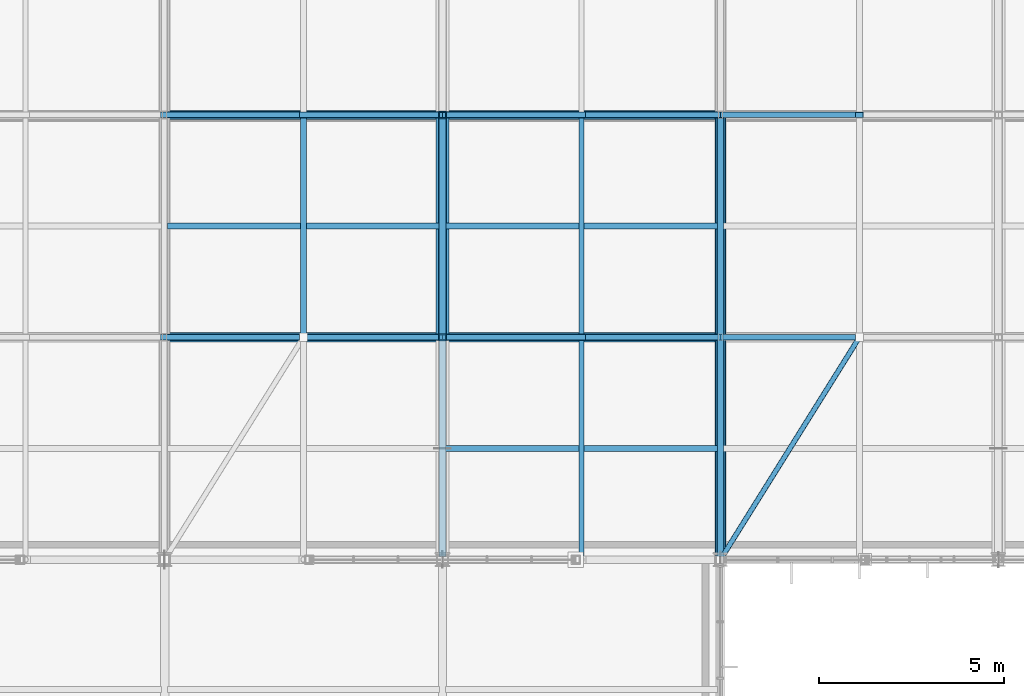
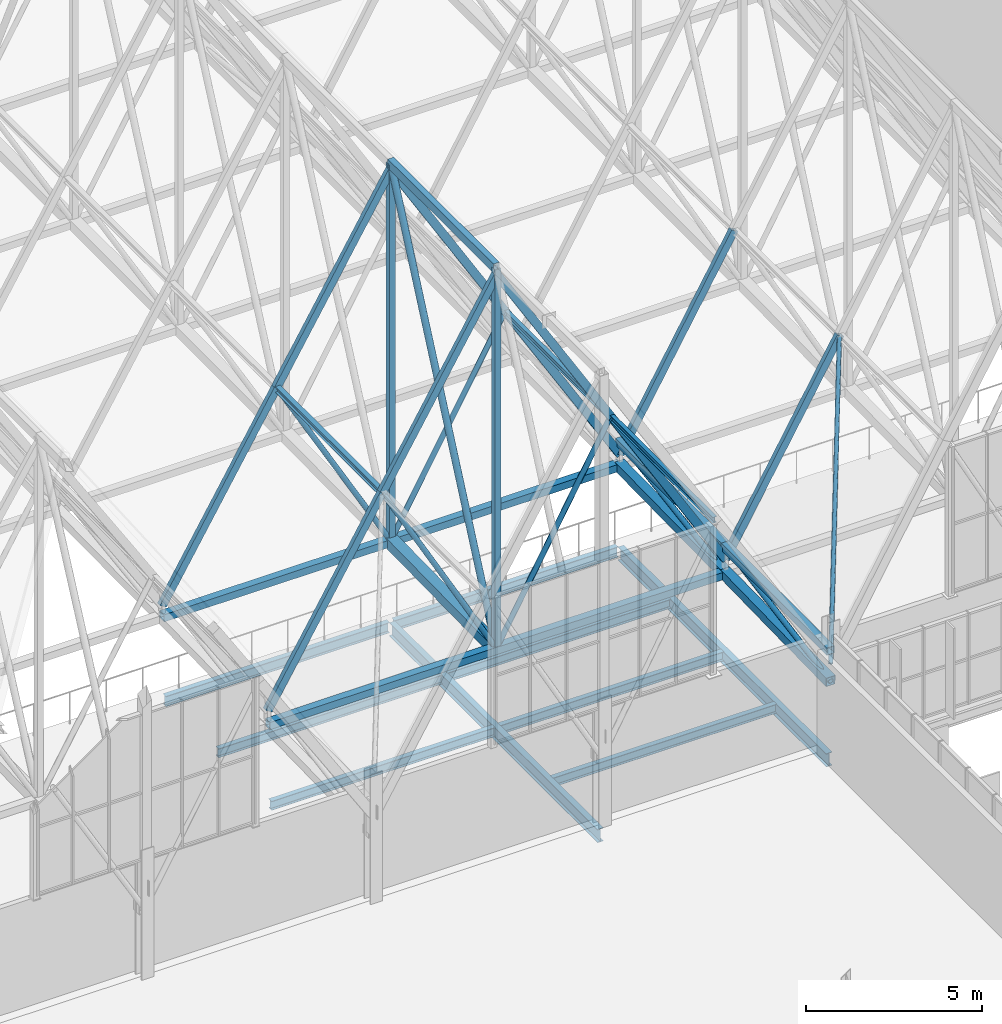
# One storey, part 96 of 324: 28 members, 12 beams.
"""IFC4 building model written with IfcOpenShell, lengths in metres."""

from ifc_helpers import new_model, si_unit, direction, frame, origin, origin_2d, place, context, subcontext, project, spatial, hollow_rectangle, hollow_circle, i_section, extrude, material, material_profile, profile_set, type_object, element, save


model = new_model("IFC4")

# Units and contexts
model_context = context("Model", 3, precision=1e-05, world=origin(), true_north=direction((0.0, 1.0)))
body_context = subcontext(model_context, "Body", "Model", "MODEL_VIEW")
ifc_project = project(units=[si_unit("LENGTHUNIT", "METRE"), si_unit("AREAUNIT", "SQUARE_METRE"), si_unit("VOLUMEUNIT", "CUBIC_METRE"), si_unit("PLANEANGLEUNIT", "RADIAN"), si_unit("MASSUNIT", "GRAM", prefix="KILO")], contexts=[model_context])

# Site, building, storey
site_placement = place(None, origin())
site = spatial("IfcSite", under=ifc_project, at=site_placement, CompositionType="ELEMENT")
building_placement = place(site_placement, origin())
building = spatial("IfcBuilding", under=site, at=building_placement, Name="Solvenia Promenade Tram Depot", CompositionType="ELEMENT")
storey_placement = place(building_placement, frame((0.0, 0.0, 4.5)))
storey = spatial("IfcBuildingStorey", under=building, at=storey_placement, Name="L01", CompositionType="ELEMENT", Elevation=4.5)

# Beams
ifc_material_1 = material(Name="Structural steel ASTM A992 Gr. 50", Category="steel")
ifc_material_profile_1 = material_profile(ifc_material_1, i_section(OverallWidth=0.19091796875, OverallDepth=0.4599609375, WebThickness=0.010009765625, FlangeThickness=0.01611328125, FilletRadius=0.012939453125, at=origin_2d()), Name="W460x82", Category="steel")
ifc_profile_set_1 = profile_set([ifc_material_profile_1], Name="Structural steel ASTM A992 Gr. 50")
beam_type_1 = type_object("IfcBeamType", Name="Beam-W460x82", PredefinedType="BEAM", material=ifc_profile_set_1)
for number, where, z_axis, x_axis, name in (
    (1, (37.5, 66.0849609375, -0.449951171875), (0.0, 1.0, 0.0), (-1.0, 0.0, 0.0), "Transverse Girder BM-L01-0046"),
    (2, (45.0, 66.0849609375, -0.449951171875), (0.0, 1.0, 0.0), (-1.0, 0.0, 0.0), "Transverse Girder BM-L01-0047"),
):
    element("IfcBeam", number, at=place(storey_placement, frame(where, z_axis=z_axis, x_axis=x_axis)), inside=storey, type_object=beam_type_1, Name=name, PredefinedType="BEAM", context=body_context, shape_type="SweptSolid", body=[
        extrude(i_section(OverallWidth=0.19091796875, OverallDepth=0.4599609375, WebThickness=0.010009765625, FlangeThickness=0.01611328125, FilletRadius=0.012939453125, at=origin_2d()), origin(), (0.0, 0.0, 1.0), 11.830078125),
    ])

# Members
ifc_material_2 = material(Name="Structural steel ASTM A500 Gr. C", Category="steel")
ifc_material_profile_2 = material_profile(ifc_material_2, hollow_circle(Radius=0.109619140625, WallThickness=0.008056640625, at=origin_2d()), Name="CHS219.1x8", Category="steel")
ifc_profile_set_2 = profile_set([ifc_material_profile_2], Name="Structural steel ASTM A500 Gr. C")
member_type_1 = type_object("IfcMemberType", Name="Brace-CHS219x8", PredefinedType="BRACE", material=ifc_profile_set_2)
member_1_placement = place(storey_placement, frame((37.5, 72.0, 2.446044921875), z_axis=(0.0, 0.413778842299, 0.910377432533), x_axis=(-1.0, 0.0, 0.0)))
element("IfcMember", 3, at=member_1_placement, inside=storey, type_object=member_type_1, Name="Arched Truss T06 Web Diagonal S02", PredefinedType="BRACE", context=body_context, shape_type="SweptSolid", body=[
    extrude(hollow_circle(Radius=0.109619140625, WallThickness=0.008056640625, at=origin_2d()), origin(), (0.0, 0.0, 1.0), 14.50048828125),
])
ifc_material_profile_3 = material_profile(ifc_material_2, hollow_rectangle(XDim=0.14990234375, YDim=0.25, WallThickness=0.010009765625, at=origin_2d()), Name="HSS250x150x10", Category="steel")
ifc_profile_set_3 = profile_set([ifc_material_profile_3], Name="Structural steel ASTM A500 Gr. C")
member_type_2 = type_object("IfcMemberType", Name="Chord-HSS250x150x10", PredefinedType="CHORD", material=ifc_profile_set_3)
for number, where, z_axis, x_axis, name in (
    (4, (30.0, 72.0, 2.93017578125), (0.514584433357, 0.0, 0.857439712718), (0.0, 1.0, 0.0), "Zigzag Gable 03 West Lower Rafter"),
    (5, (33.75, 72.0, 9.1787109375), (0.514584433357, 0.0, 0.857439712718), (0.0, 1.0, 0.0), "Zigzag Gable 03 West Upper Rafter"),
    (6, (37.5, 72.0, 15.42724609375), (0.514584433357, 0.0, -0.857439712718), (0.0, 1.0, 0.0), "Zigzag Gable 03 East Upper Rafter"),
    (7, (41.25, 72.0, 9.1787109375), (0.514584433357, 0.0, -0.857439712718), (0.0, 1.0, 0.0), "Zigzag Gable 03 East Lower Rafter"),
    (8, (30.0, 78.0, 2.93017578125), (0.514584433357, 0.0, 0.857439712718), (0.0, 1.0, 0.0), "Zigzag Gable 03 West Lower Rafter"),
    (9, (33.75, 78.0, 9.1787109375), (0.514584433357, 0.0, 0.857439712718), (0.0, 1.0, 0.0), "Zigzag Gable 03 West Upper Rafter"),
    (10, (37.5, 78.0, 15.42724609375), (0.514584433357, 0.0, -0.857439712718), (0.0, 1.0, 0.0), "Zigzag Gable 03 East Upper Rafter"),
    (11, (41.25, 78.0, 9.1787109375), (0.514584433357, 0.0, -0.857439712718), (0.0, 1.0, 0.0), "Zigzag Gable 03 East Lower Rafter"),
):
    element("IfcMember", number, at=place(storey_placement, frame(where, z_axis=z_axis, x_axis=x_axis)), inside=storey, type_object=member_type_2, Name=name, PredefinedType="CHORD", context=body_context, shape_type="SweptSolid", body=[
        extrude(hollow_rectangle(XDim=0.14990234375, YDim=0.25, WallThickness=0.010009765625, at=origin_2d()), origin(), (0.0, 0.0, 1.0), 7.287353515625),
    ])
for number, where, z_axis, x_axis, name in (
    (12, (45.0, 72.0, 2.921142578125), (0.501516268578, 0.0, 0.865148214095), (0.0, 1.0, 0.0), "Zigzag Gable 04 West Lower Rafter"),
    (13, (45.0, 78.0, 2.921142578125), (0.501516268578, 0.0, 0.865148214095), (0.0, 1.0, 0.0), "Zigzag Gable 04 West Lower Rafter"),
):
    element("IfcMember", number, at=place(storey_placement, frame(where, z_axis=z_axis, x_axis=x_axis)), inside=storey, type_object=member_type_2, Name=name, PredefinedType="CHORD", context=body_context, shape_type="SweptSolid", body=[
        extrude(hollow_rectangle(XDim=0.14990234375, YDim=0.25, WallThickness=0.010009765625, at=origin_2d()), origin(), (0.0, 0.0, 1.0), 7.477294921875),
    ])
ifc_material_profile_4 = material_profile(ifc_material_2, hollow_rectangle(XDim=0.25, YDim=0.25, WallThickness=0.010009765625, at=origin_2d()), Name="HSS250x250x10", Category="steel")
ifc_profile_set_4 = profile_set([ifc_material_profile_4], Name="Structural steel ASTM A500 Gr. C")
member_type_3 = type_object("IfcMemberType", Name="Chord-HSS250x250x10", PredefinedType="CHORD", material=ifc_profile_set_4)
for number, where, z_axis, x_axis, name in (
    (14, (45.0, 66.0, 3.3798828125), (0.0, 1.0, 0.0), (-1.0, 0.0, 0.0), "Arched Truss T07 Upper Chord S01"),
    (15, (45.0, 72.0, 3.3798828125), (0.0, 1.0, 0.0), (-1.0, 0.0, 0.0), "Arched Truss T07 Upper Chord S02"),
):
    element("IfcMember", number, at=place(storey_placement, frame(where, z_axis=z_axis, x_axis=x_axis)), inside=storey, type_object=member_type_3, Name=name, PredefinedType="CHORD", context=body_context, shape_type="SweptSolid", body=[
        extrude(hollow_rectangle(XDim=0.25, YDim=0.25, WallThickness=0.010009765625, at=origin_2d()), origin(), (0.0, 0.0, 1.0), 6.0),
    ])
for number, where, z_axis, x_axis, name in (
    (16, (30.0, 72.0, 2.446044921875), (1.0, 0.0, 0.0), (0.0, 1.0, 0.0), "Bottom-Chord Catenary Lateral Tie 019"),
    (17, (30.0, 78.0, 2.5439453125), (1.0, 0.0, 0.0), (0.0, 1.0, 0.0), "Bottom-Chord Catenary Lateral Tie 020"),
):
    element("IfcMember", number, at=place(storey_placement, frame(where, z_axis=z_axis, x_axis=x_axis)), inside=storey, type_object=member_type_3, Name=name, PredefinedType="CHORD", context=body_context, shape_type="SweptSolid", body=[
        extrude(hollow_rectangle(XDim=0.25, YDim=0.25, WallThickness=0.010009765625, at=origin_2d()), origin(), (0.0, 0.0, 1.0), 15.0),
    ])
ifc_material_profile_5 = material_profile(ifc_material_2, hollow_rectangle(XDim=0.199951171875, YDim=0.300048828125, WallThickness=0.012451171875, at=origin_2d()), Name="HSS300x200x12.5", Category="steel")
ifc_profile_set_5 = profile_set([ifc_material_profile_5], Name="Structural steel ASTM A500 Gr. C")
member_type_4 = type_object("IfcMemberType", Name="Chord-HSS300x200x12", PredefinedType="CHORD", material=ifc_profile_set_5)
member_2_placement = place(storey_placement, frame((37.5, 72.0, 15.64697265625), z_axis=(0.0, 1.0, 0.0), x_axis=(-1.0, 0.0, 0.0)))
element("IfcMember", 18, at=member_2_placement, inside=storey, type_object=member_type_4, Name="Arched Truss T06 Upper Chord S02", PredefinedType="CHORD", context=body_context, shape_type="SweptSolid", body=[
    extrude(hollow_rectangle(XDim=0.199951171875, YDim=0.300048828125, WallThickness=0.012451171875, at=origin_2d()), origin(), (0.0, 0.0, 1.0), 6.0),
])
ifc_material_profile_6 = material_profile(ifc_material_2, hollow_rectangle(XDim=0.300048828125, YDim=0.300048828125, WallThickness=0.012451171875, at=origin_2d()), Name="HSS300x300x12.5", Category="steel")
ifc_profile_set_6 = profile_set([ifc_material_profile_6], Name="Structural steel ASTM A500 Gr. C")
member_type_5 = type_object("IfcMemberType", Name="Chord-HSS300x300x12", PredefinedType="CHORD", material=ifc_profile_set_6)
member_3_placement = place(storey_placement, frame((45.0, 66.0, 2.320068359375), z_axis=(0.0, 0.999779654873, 0.020991467363), x_axis=(-1.0, 0.0, 0.0)))
element("IfcMember", 19, at=member_3_placement, inside=storey, type_object=member_type_5, Name="Arched Truss T07 Bottom Chord S01", PredefinedType="CHORD", context=body_context, shape_type="SweptSolid", body=[
    extrude(hollow_rectangle(XDim=0.300048828125, YDim=0.300048828125, WallThickness=0.012451171875, at=origin_2d()), origin(), (0.0, 0.0, 1.0), 6.001220703125),
])
member_4_placement = place(storey_placement, frame((45.0, 72.0, 2.446044921875), z_axis=(0.0, 0.999866908707, 0.016314560156), x_axis=(-1.0, 0.0, 0.0)))
element("IfcMember", 20, at=member_4_placement, inside=storey, type_object=member_type_5, Name="Arched Truss T07 Bottom Chord S02", PredefinedType="CHORD", context=body_context, shape_type="SweptSolid", body=[
    extrude(hollow_rectangle(XDim=0.300048828125, YDim=0.300048828125, WallThickness=0.012451171875, at=origin_2d()), origin(), (0.0, 0.0, 1.0), 6.000732421875),
])
ifc_material_profile_7 = material_profile(ifc_material_2, hollow_rectangle(XDim=0.35009765625, YDim=0.35009765625, WallThickness=0.01611328125, at=origin_2d()), Name="HSS350x350x16", Category="steel")
ifc_profile_set_7 = profile_set([ifc_material_profile_7], Name="Structural steel ASTM A500 Gr. C")
member_type_6 = type_object("IfcMemberType", Name="Chord-HSS350x350x16", PredefinedType="CHORD", material=ifc_profile_set_7)
member_5_placement = place(storey_placement, frame((37.5, 72.0, 2.446044921875), z_axis=(0.0, 0.999866908707, 0.016314560156), x_axis=(-1.0, 0.0, 0.0)))
element("IfcMember", 21, at=member_5_placement, inside=storey, type_object=member_type_6, Name="Arched Truss T06 Bottom Chord S02", PredefinedType="CHORD", context=body_context, shape_type="SweptSolid", body=[
    extrude(hollow_rectangle(XDim=0.35009765625, YDim=0.35009765625, WallThickness=0.01611328125, at=origin_2d()), origin(), (0.0, 0.0, 1.0), 6.000732421875),
])

# Beams
ifc_material_profile_8 = material_profile(ifc_material_1, i_section(OverallWidth=0.166015625, OverallDepth=0.31298828125, WebThickness=0.006591796875, FlangeThickness=0.01123046875, FilletRadius=0.010009765625, at=origin_2d()), Name="W310x45", Category="steel")
ifc_profile_set_8 = profile_set([ifc_material_profile_8], Name="Structural steel ASTM A992 Gr. 50")
beam_type_2 = type_object("IfcBeamType", Name="Joist-W310x45", PredefinedType="JOIST", material=ifc_profile_set_8)
for number, where, z_axis, x_axis, name in (
    (22, (30.0849609375, 72.0, -0.37646484375), (1.0, 0.0, 0.0), (0.0, 1.0, 0.0), "Secondary Floor Joist BM-L01-0074"),
    (23, (30.0849609375, 75.0, -0.37646484375), (1.0, 0.0, 0.0), (0.0, 1.0, 0.0), "Secondary Floor Joist BM-L01-0075"),
    (24, (37.5849609375, 69.0, -0.37646484375), (1.0, 0.0, 0.0), (0.0, 1.0, 0.0), "Secondary Floor Joist BM-L01-0076"),
    (25, (37.5849609375, 72.0, -0.37646484375), (1.0, 0.0, 0.0), (0.0, 1.0, 0.0), "Secondary Floor Joist BM-L01-0077"),
    (26, (37.5849609375, 75.0, -0.37646484375), (1.0, 0.0, 0.0), (0.0, 1.0, 0.0), "Secondary Floor Joist BM-L01-0078"),
):
    element("IfcBeam", number, at=place(storey_placement, frame(where, z_axis=z_axis, x_axis=x_axis)), inside=storey, type_object=beam_type_2, Name=name, PredefinedType="JOIST", context=body_context, shape_type="SweptSolid", body=[
        extrude(i_section(OverallWidth=0.166015625, OverallDepth=0.31298828125, WebThickness=0.006591796875, FlangeThickness=0.01123046875, FilletRadius=0.010009765625, at=origin_2d()), origin(), (0.0, 0.0, 1.0), 7.330078125),
    ])

# Members
ifc_material_profile_9 = material_profile(ifc_material_2, hollow_rectangle(XDim=0.199951171875, YDim=0.199951171875, WallThickness=0.010009765625, at=origin_2d()), Name="HSS200x200x10", Category="steel")
ifc_profile_set_9 = profile_set([ifc_material_profile_9], Name="Structural steel ASTM A500 Gr. C")
member_type_7 = type_object("IfcMemberType", Name="Post-HSS200x200x10", PredefinedType="POST", material=ifc_profile_set_9)
member_6_placement = place(storey_placement, frame((37.5, 72.0, 2.446044921875), z_axis=(0.0, 0.0, 1.0), x_axis=(1.0, 0.0, 0.0)))
element("IfcMember", 27, at=member_6_placement, inside=storey, type_object=member_type_7, Name="Arched Truss T06 Web Post S01", PredefinedType="POST", context=body_context, shape_type="SweptSolid", body=[
    extrude(hollow_rectangle(XDim=0.199951171875, YDim=0.199951171875, WallThickness=0.010009765625, at=origin_2d()), origin(), (0.0, 0.0, 1.0), 13.200927734375),
])
member_7_placement = place(storey_placement, frame((37.5, 78.0, 2.5439453125), z_axis=(0.0, 0.0, 1.0), x_axis=(1.0, 0.0, 0.0)))
element("IfcMember", 28, at=member_7_placement, inside=storey, type_object=member_type_7, Name="Arched Truss T06 Web Post S02", PredefinedType="POST", context=body_context, shape_type="SweptSolid", body=[
    extrude(hollow_rectangle(XDim=0.199951171875, YDim=0.199951171875, WallThickness=0.010009765625, at=origin_2d()), origin(), (0.0, 0.0, 1.0), 13.10302734375),
])

# Beams
ifc_material_profile_10 = material_profile(ifc_material_1, i_section(OverallWidth=0.133056640625, OverallDepth=0.20703125, WebThickness=0.005859375, FlangeThickness=0.00830078125, FilletRadius=0.009033203125, at=origin_2d()), Name="W200x27", Category="steel")
ifc_profile_set_10 = profile_set([ifc_material_profile_10], Name="Structural steel ASTM A992 Gr. 50")
beam_type_3 = type_object("IfcBeamType", Name="Purlin-W200x27", PredefinedType="USERDEFINED", material=ifc_profile_set_10)
for number, where, z_axis, x_axis, name in (
    (29, (41.25, 66.0849609375, 9.169677734375), (0.0, 1.0, 0.0), (-1.0, 0.0, 0.0), "Gable Roof Purlin E-0042"),
    (30, (41.25, 72.0849609375, 9.169677734375), (0.0, 1.0, 0.0), (-1.0, 0.0, 0.0), "Gable Roof Purlin E-0044"),
):
    element("IfcBeam", number, at=place(storey_placement, frame(where, z_axis=z_axis, x_axis=x_axis)), inside=storey, type_object=beam_type_3, Name=name, ObjectType="PURLIN", PredefinedType="USERDEFINED", context=body_context, shape_type="SweptSolid", body=[
        extrude(i_section(OverallWidth=0.133056640625, OverallDepth=0.20703125, WebThickness=0.005859375, FlangeThickness=0.00830078125, FilletRadius=0.009033203125, at=origin_2d()), origin(), (0.0, 0.0, 1.0), 5.830078125),
    ])
ifc_material_profile_11 = material_profile(ifc_material_1, i_section(OverallWidth=0.1650390625, OverallDepth=0.200927734375, WebThickness=0.006103515625, FlangeThickness=0.01025390625, FilletRadius=0.010009765625, at=origin_2d()), Name="W200x36", Category="steel")
ifc_profile_set_11 = profile_set([ifc_material_profile_11], Name="Structural steel ASTM A992 Gr. 50")
beam_type_4 = type_object("IfcBeamType", Name="Purlin-W200x36", PredefinedType="USERDEFINED", material=ifc_profile_set_11)
beam_placement = place(storey_placement, frame((33.75, 72.0849609375, 9.169677734375), z_axis=(0.0, 1.0, 0.0), x_axis=(-1.0, 0.0, 0.0)))
element("IfcBeam", 31, at=beam_placement, inside=storey, type_object=beam_type_4, Name="Gable Roof Purlin W-0043", ObjectType="PURLIN", PredefinedType="USERDEFINED", context=body_context, shape_type="SweptSolid", body=[
    extrude(i_section(OverallWidth=0.1650390625, OverallDepth=0.200927734375, WebThickness=0.006103515625, FlangeThickness=0.01025390625, FilletRadius=0.010009765625, at=origin_2d()), origin(), (0.0, 0.0, 1.0), 5.830078125),
])

# Member
ifc_material_profile_12 = material_profile(ifc_material_2, hollow_circle(Radius=0.06982421875, WallThickness=0.00634765625, at=origin_2d()), Name="CHS139.7x6.3", Category="steel")
ifc_profile_set_12 = profile_set([ifc_material_profile_12], Name="Structural steel ASTM A500 Gr. C")
member_type_8 = type_object("IfcMemberType", Name="RoofBrace-CHS140x6", PredefinedType="BRACE", material=ifc_profile_set_12)
member_8_placement = place(storey_placement, frame((45.0, 66.0, 2.921142578125), z_axis=(0.391155079769, 0.625848127631, 0.674767978428), x_axis=(-0.847998304005, 0.529998940003, 0.0)))
element("IfcMember", 32, at=member_8_placement, inside=storey, type_object=member_type_8, Name="Roof Plan Wind Brace 007", PredefinedType="BRACE", context=body_context, shape_type="SweptSolid", body=[
    extrude(hollow_circle(Radius=0.06982421875, WallThickness=0.00634765625, at=origin_2d()), origin(), (0.0, 0.0, 1.0), 9.5869140625),
])

# Beams
ifc_material_profile_13 = material_profile(ifc_material_1, i_section(OverallWidth=0.172119140625, OverallDepth=0.35791015625, WebThickness=0.0078125, FlangeThickness=0.01318359375, FilletRadius=0.010986328125, at=origin_2d()), Name="W360x57", Category="steel")
ifc_profile_set_13 = profile_set([ifc_material_profile_13], Name="Structural steel ASTM A992 Gr. 50")
beam_type_5 = type_object("IfcBeamType", Name="Spandrel-W360x57", PredefinedType="SPANDREL", material=ifc_profile_set_13)
for number, where, z_axis, x_axis, name in (
    (33, (30.0849609375, 78.0, -0.39892578125), (1.0, 0.0, 0.0), (0.0, 1.0, 0.0), "Perimeter Spandrel BM-L01-0025"),
    (34, (37.5849609375, 78.0, -0.39892578125), (1.0, 0.0, 0.0), (0.0, 1.0, 0.0), "Perimeter Spandrel BM-L01-0026"),
):
    element("IfcBeam", number, at=place(storey_placement, frame(where, z_axis=z_axis, x_axis=x_axis)), inside=storey, type_object=beam_type_5, Name=name, PredefinedType="SPANDREL", context=body_context, shape_type="SweptSolid", body=[
        extrude(i_section(OverallWidth=0.172119140625, OverallDepth=0.35791015625, WebThickness=0.0078125, FlangeThickness=0.01318359375, FilletRadius=0.010986328125, at=origin_2d()), origin(), (0.0, 0.0, 1.0), 7.330078125),
    ])

# Members
ifc_material_profile_14 = material_profile(ifc_material_2, hollow_circle(Radius=0.084228515625, WallThickness=0.008056640625, at=origin_2d()), Name="CHS168.3x8", Category="steel")
ifc_profile_set_14 = profile_set([ifc_material_profile_14], Name="Structural steel ASTM A500 Gr. C")
member_type_9 = type_object("IfcMemberType", Name="WebDiag-CHS168x8", PredefinedType="BRACE", material=ifc_profile_set_14)
member_9_placement = place(storey_placement, frame((45.0, 66.0, 2.320068359375), z_axis=(0.0, 0.984755712458, 0.173943056143), x_axis=(-1.0, 0.0, 0.0)))
element("IfcMember", 35, at=member_9_placement, inside=storey, type_object=member_type_9, Name="Arched Truss T07 Web Diagonal S01", PredefinedType="BRACE", context=body_context, shape_type="SweptSolid", body=[
    extrude(hollow_circle(Radius=0.084228515625, WallThickness=0.008056640625, at=origin_2d()), origin(), (0.0, 0.0, 1.0), 6.0927734375),
])
member_10_placement = place(storey_placement, frame((45.0, 72.0, 2.446044921875), z_axis=(0.0, 0.9881038455, 0.153788135133), x_axis=(-1.0, 0.0, 0.0)))
element("IfcMember", 36, at=member_10_placement, inside=storey, type_object=member_type_9, Name="Arched Truss T07 Web Diagonal S02", PredefinedType="BRACE", context=body_context, shape_type="SweptSolid", body=[
    extrude(hollow_circle(Radius=0.084228515625, WallThickness=0.008056640625, at=origin_2d()), origin(), (0.0, 0.0, 1.0), 6.072265625),
])
for number, where, z_axis, x_axis, name in (
    (37, (37.5, 72.0, 2.446044921875), (-0.486597510161, 0.0, 0.873626271986), (0.0, -1.0, 0.0), "Zigzag Gable 03 West Knee Strut"),
    (38, (37.5, 72.0, 2.446044921875), (0.486597510161, 0.0, 0.873626271986), (0.0, 1.0, 0.0), "Zigzag Gable 03 East Knee Strut"),
):
    element("IfcMember", number, at=place(storey_placement, frame(where, z_axis=z_axis, x_axis=x_axis)), inside=storey, type_object=member_type_9, Name=name, PredefinedType="BRACE", context=body_context, shape_type="SweptSolid", body=[
        extrude(hollow_circle(Radius=0.084228515625, WallThickness=0.008056640625, at=origin_2d()), origin(), (0.0, 0.0, 1.0), 7.70654296875),
    ])
for number, where, z_axis, x_axis, name in (
    (39, (37.5, 78.0, 2.5439453125), (-0.492048812039, 0.0, 0.870567611717), (0.0, -1.0, 0.0), "Zigzag Gable 03 West Knee Strut"),
    (40, (37.5, 78.0, 2.5439453125), (0.492048812039, 0.0, 0.870567611717), (0.0, 1.0, 0.0), "Zigzag Gable 03 East Knee Strut"),
):
    element("IfcMember", number, at=place(storey_placement, frame(where, z_axis=z_axis, x_axis=x_axis)), inside=storey, type_object=member_type_9, Name=name, PredefinedType="BRACE", context=body_context, shape_type="SweptSolid", body=[
        extrude(hollow_circle(Radius=0.084228515625, WallThickness=0.008056640625, at=origin_2d()), origin(), (0.0, 0.0, 1.0), 7.62109375),
    ])

save(model, "model.ifc")
